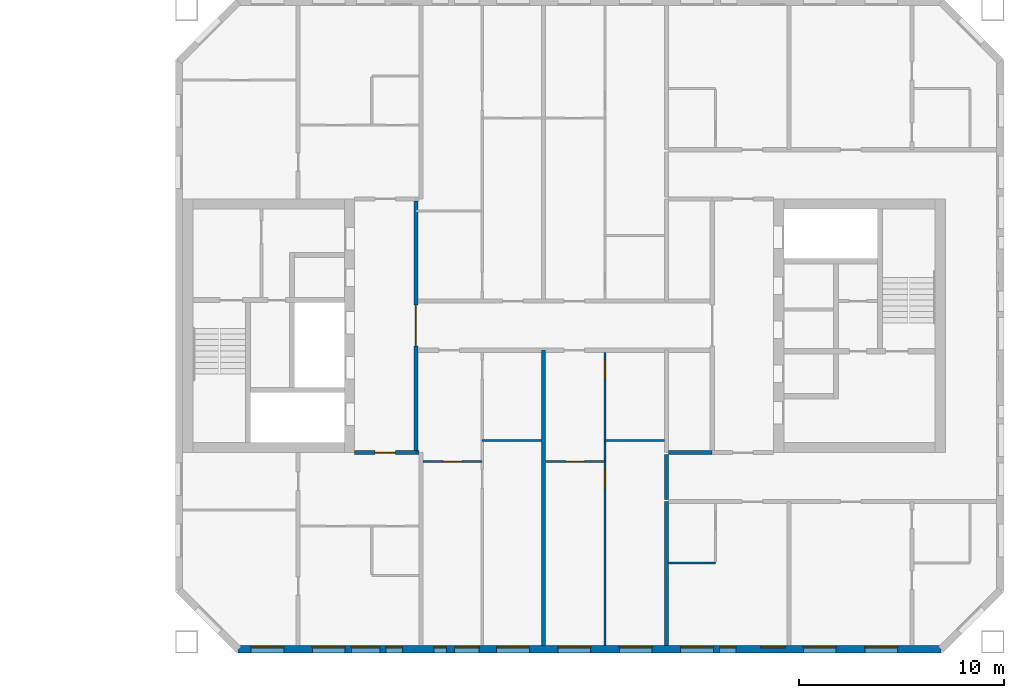
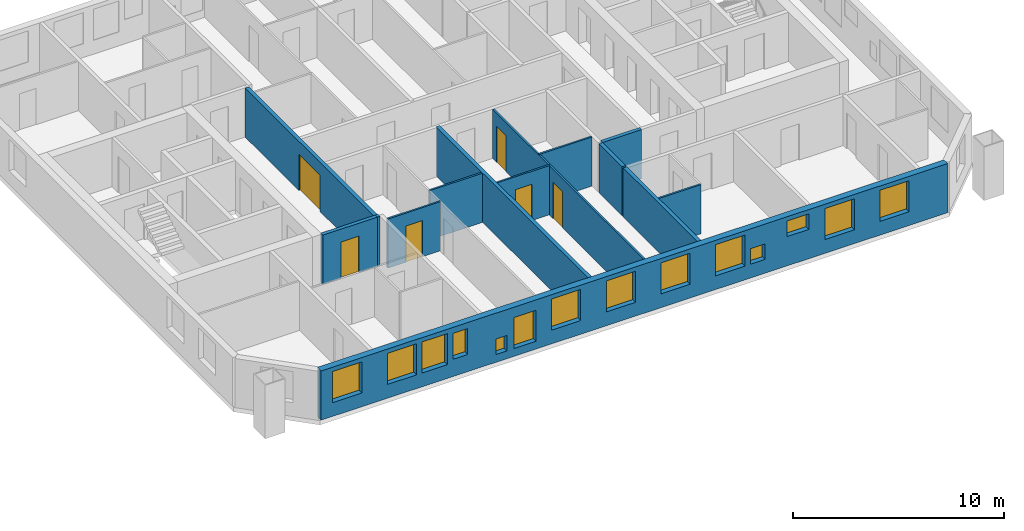
# One storey, part 10 of 16: 14 walls, 14 windows, 6 doors, 20 openings.
"""IFC4 building model written with IfcOpenShell, lengths in metres."""

from ifc_helpers import new_model, si_unit, direction, frame, frame_2d, origin, place, context, subcontext, project, spatial, rectangle, extrude, material, layer, layer_set, type_object, element, fill, save


model = new_model("IFC4")

# Units and contexts
model_context = context("Model", 3, precision=1e-05, world=origin(), true_north=direction((0.0, 1.0)))
body_context = subcontext(model_context, "Body", "Model", "MODEL_VIEW")
ifc_project = project(units=[si_unit("LENGTHUNIT", "METRE"), si_unit("AREAUNIT", "SQUARE_METRE"), si_unit("VOLUMEUNIT", "CUBIC_METRE"), si_unit("PLANEANGLEUNIT", "RADIAN"), si_unit("MASSUNIT", "GRAM", prefix="KILO")], contexts=[model_context])

# Site, building, storey
site_placement = place(None, origin())
site = spatial("IfcSite", under=ifc_project, at=site_placement, CompositionType="ELEMENT")
building_placement = place(site_placement, origin())
building = spatial("IfcBuilding", under=site, at=building_placement, Name="Tuart Gate Housing", CompositionType="ELEMENT")
storey_placement = place(building_placement, frame((0.0, 0.0, 157.800048828125)))
storey = spatial("IfcBuildingStorey", under=building, at=storey_placement, Name="L44", CompositionType="ELEMENT", Elevation=157.800048828125)

# Wall, openings, windows
ifc_material_1 = material(Name="Brick", Category="masonry")
ifc_layer_1 = layer(ifc_material_1, 0.360107421875)
ifc_layer_set_1 = layer_set([ifc_layer_1], Name="Brick pier and spandrel wall 360")
wall_type_1 = type_object("IfcWallType", Name="Brick pier and spandrel wall 360", PredefinedType="STANDARD", material=ifc_layer_set_1)
wall_1_placement = place(storey_placement, frame((134.07470703125, 54.179931640625, 0.0), z_axis=(0.0, 0.0, 1.0), x_axis=(1.0, 0.0, 0.0)))
wall_1 = element("IfcWall", 1, at=wall_1_placement, inside=storey, type_object=wall_type_1, Name="External wall B-S L44", PredefinedType="STANDARD", context=body_context, shape_type="SweptSolid", body=[
    extrude(rectangle(XDim=34.350830078125, YDim=0.360107421875, at=frame_2d((17.17529296875, 0.0))), origin(), (0.0, 0.0, 1.0), 2.849853515625),
])
opening_1_placement = place(wall_1_placement, frame((0.62548828125, 0.0, 0.800048828125)))
opening_1 = element("IfcOpeningElement", 2, at=opening_1_placement, cuts=wall_1, Name="Opening W1", PredefinedType="OPENING", context=body_context, shape_type="SweptSolid", body=[
    extrude(rectangle(XDim=1.60009765625, YDim=1.800048828125, at=frame_2d((0.800048828125, 0.89990234375))), frame((0.0, 0.18994140625, 0.0), z_axis=(0.0, -1.0, 0.0), x_axis=(1.0, 0.0, 0.0)), (0.0, 0.0, 1.0), 0.380126953125),
])
opening_2_placement = place(wall_1_placement, frame((3.62548828125, 0.0, 0.800048828125)))
opening_2 = element("IfcOpeningElement", 3, at=opening_2_placement, cuts=wall_1, Name="Opening W1", PredefinedType="OPENING", context=body_context, shape_type="SweptSolid", body=[
    extrude(rectangle(XDim=1.60009765625, YDim=1.800048828125, at=frame_2d((0.800048828125, 0.89990234375))), frame((0.0, 0.18994140625, 0.0), z_axis=(0.0, -1.0, 0.0), x_axis=(1.0, 0.0, 0.0)), (0.0, 0.0, 1.0), 0.380126953125),
])
opening_3_placement = place(wall_1_placement, frame((5.525390625, 0.0, 0.800048828125)))
opening_3 = element("IfcOpeningElement", 4, at=opening_3_placement, cuts=wall_1, Name="Opening W1A", PredefinedType="OPENING", context=body_context, shape_type="SweptSolid", body=[
    extrude(rectangle(XDim=1.39990234375, YDim=1.800048828125, at=frame_2d((0.699951171875, 0.89990234375))), frame((0.0, 0.18994140625, 0.0), z_axis=(0.0, -1.0, 0.0), x_axis=(1.0, 0.0, 0.0)), (0.0, 0.0, 1.0), 0.380126953125),
])
opening_4_placement = place(wall_1_placement, frame((9.575439453125, 0.0, 0.449951171875)))
opening_4 = element("IfcOpeningElement", 5, at=opening_4_placement, cuts=wall_1, Name="Opening W1W", PredefinedType="OPENING", context=body_context, shape_type="SweptSolid", body=[
    extrude(rectangle(XDim=0.60009765625, YDim=0.89990234375, at=frame_2d((0.300048828125, 0.449951171875))), frame((0.0, 0.18994140625, 0.0), z_axis=(0.0, -1.0, 0.0), x_axis=(1.0, 0.0, 0.0)), (0.0, 0.0, 1.0), 0.380126953125),
])
opening_5_placement = place(wall_1_placement, frame((12.62548828125, 0.0, 0.800048828125)))
opening_5 = element("IfcOpeningElement", 6, at=opening_5_placement, cuts=wall_1, Name="Opening W1", PredefinedType="OPENING", context=body_context, shape_type="SweptSolid", body=[
    extrude(rectangle(XDim=1.60009765625, YDim=1.800048828125, at=frame_2d((0.800048828125, 0.89990234375))), frame((0.0, 0.18994140625, 0.0), z_axis=(0.0, -1.0, 0.0), x_axis=(1.0, 0.0, 0.0)), (0.0, 0.0, 1.0), 0.380126953125),
])
opening_6_placement = place(wall_1_placement, frame((15.62548828125, 0.0, 0.800048828125)))
opening_6 = element("IfcOpeningElement", 7, at=opening_6_placement, cuts=wall_1, Name="Opening W1", PredefinedType="OPENING", context=body_context, shape_type="SweptSolid", body=[
    extrude(rectangle(XDim=1.60009765625, YDim=1.800048828125, at=frame_2d((0.800048828125, 0.89990234375))), frame((0.0, 0.18994140625, 0.0), z_axis=(0.0, -1.0, 0.0), x_axis=(1.0, 0.0, 0.0)), (0.0, 0.0, 1.0), 0.380126953125),
])
opening_7_placement = place(wall_1_placement, frame((18.62548828125, 0.0, 0.800048828125)))
opening_7 = element("IfcOpeningElement", 8, at=opening_7_placement, cuts=wall_1, Name="Opening W1", PredefinedType="OPENING", context=body_context, shape_type="SweptSolid", body=[
    extrude(rectangle(XDim=1.60009765625, YDim=1.800048828125, at=frame_2d((0.800048828125, 0.89990234375))), frame((0.0, 0.18994140625, 0.0), z_axis=(0.0, -1.0, 0.0), x_axis=(1.0, 0.0, 0.0)), (0.0, 0.0, 1.0), 0.380126953125),
])
opening_8_placement = place(wall_1_placement, frame((21.62548828125, 0.0, 0.800048828125)))
opening_8 = element("IfcOpeningElement", 9, at=opening_8_placement, cuts=wall_1, Name="Opening W1", PredefinedType="OPENING", context=body_context, shape_type="SweptSolid", body=[
    extrude(rectangle(XDim=1.60009765625, YDim=1.800048828125, at=frame_2d((0.800048828125, 0.89990234375))), frame((0.0, 0.18994140625, 0.0), z_axis=(0.0, -1.0, 0.0), x_axis=(1.0, 0.0, 0.0)), (0.0, 0.0, 1.0), 0.380126953125),
])
opening_9_placement = place(wall_1_placement, frame((23.525390625, 0.0, 0.800048828125)))
opening_9 = element("IfcOpeningElement", 10, at=opening_9_placement, cuts=wall_1, Name="Opening W1V", PredefinedType="OPENING", context=body_context, shape_type="SweptSolid", body=[
    extrude(rectangle(XDim=0.800048828125, YDim=0.89990234375, at=frame_2d((0.39990234375, 0.449951171875))), frame((0.0, 0.18994140625, 0.0), z_axis=(0.0, -1.0, 0.0), x_axis=(1.0, 0.0, 0.0)), (0.0, 0.0, 1.0), 0.380126953125),
])
opening_10_placement = place(wall_1_placement, frame((27.62548828125, 0.0, 0.800048828125)))
opening_10 = element("IfcOpeningElement", 11, at=opening_10_placement, cuts=wall_1, Name="Opening W1", PredefinedType="OPENING", context=body_context, shape_type="SweptSolid", body=[
    extrude(rectangle(XDim=1.60009765625, YDim=1.800048828125, at=frame_2d((0.800048828125, 0.89990234375))), frame((0.0, 0.18994140625, 0.0), z_axis=(0.0, -1.0, 0.0), x_axis=(1.0, 0.0, 0.0)), (0.0, 0.0, 1.0), 0.380126953125),
])
opening_11_placement = place(wall_1_placement, frame((30.62548828125, 0.0, 0.800048828125)))
opening_11 = element("IfcOpeningElement", 12, at=opening_11_placement, cuts=wall_1, Name="Opening W1", PredefinedType="OPENING", context=body_context, shape_type="SweptSolid", body=[
    extrude(rectangle(XDim=1.60009765625, YDim=1.800048828125, at=frame_2d((0.800048828125, 0.89990234375))), frame((0.0, 0.18994140625, 0.0), z_axis=(0.0, -1.0, 0.0), x_axis=(1.0, 0.0, 0.0)), (0.0, 0.0, 1.0), 0.380126953125),
])
opening_12_placement = place(wall_1_placement, frame((7.225341796875, 0.0, 1.0)))
opening_12 = element("IfcOpeningElement", 13, at=opening_12_placement, cuts=wall_1, Name="Opening W1J", PredefinedType="OPENING", context=body_context, shape_type="SweptSolid", body=[
    extrude(rectangle(XDim=0.800048828125, YDim=1.5, at=frame_2d((0.39990234375, 0.75))), frame((0.0, 0.18994140625, 0.0), z_axis=(0.0, -1.0, 0.0), x_axis=(1.0, 0.0, 0.0)), (0.0, 0.0, 1.0), 0.380126953125),
])
opening_13_placement = place(wall_1_placement, frame((10.575439453125, 0.0, 0.449951171875)))
opening_13 = element("IfcOpeningElement", 14, at=opening_13_placement, cuts=wall_1, Name="Opening W1B", PredefinedType="OPENING", context=body_context, shape_type="SweptSolid", body=[
    extrude(rectangle(XDim=1.199951171875, YDim=1.800048828125, at=frame_2d((0.60009765625, 0.89990234375))), frame((0.0, 0.18994140625, 0.0), z_axis=(0.0, -1.0, 0.0), x_axis=(1.0, 0.0, 0.0)), (0.0, 0.0, 1.0), 0.380126953125),
])
opening_14_placement = place(wall_1_placement, frame((25.525390625, 0.0, 1.699951171875)))
opening_14 = element("IfcOpeningElement", 15, at=opening_14_placement, cuts=wall_1, Name="Opening W1T", PredefinedType="OPENING", context=body_context, shape_type="SweptSolid", body=[
    extrude(rectangle(XDim=1.199951171875, YDim=0.89990234375, at=frame_2d((0.60009765625, 0.449951171875))), frame((0.0, 0.18994140625, 0.0), z_axis=(0.0, -1.0, 0.0), x_axis=(1.0, 0.0, 0.0)), (0.0, 0.0, 1.0), 0.380126953125),
])
ifc_material_2 = material(Name="Aluminium frame with clear glass", Category="aluminium")
window_type_1 = type_object("IfcWindowType", Name="Punched window 1200 x 1800", PartitioningType="SINGLE_PANEL", PredefinedType="WINDOW", material=ifc_material_2)
window_1_placement = place(opening_13_placement, origin())
window_1 = element("IfcWindow", 16, at=window_1_placement, inside=storey, type_object=window_type_1, Name="Window W1B", OverallHeight=1.800048828125, OverallWidth=1.199951171875, PartitioningType="SINGLE_PANEL", PredefinedType="WINDOW", context=body_context, shape_type="SweptSolid", body=[
    extrude(rectangle(XDim=1.199951171875, YDim=1.800048828125, at=frame_2d((0.60009765625, 0.89990234375))), frame((0.0, 0.150146484375, 0.0), z_axis=(0.0, -1.0, 0.0), x_axis=(1.0, 0.0, 0.0)), (0.0, 0.0, 1.0), 0.06005859375),
])
fill(opening_13, window_1)
ifc_material_3 = material(Name="Aluminium frame with clear glass", Category="aluminium")
window_type_2 = type_object("IfcWindowType", Name="Punched window 1200 x 900", PartitioningType="SINGLE_PANEL", PredefinedType="WINDOW", material=ifc_material_3)
window_2_placement = place(opening_14_placement, origin())
window_2 = element("IfcWindow", 17, at=window_2_placement, inside=storey, type_object=window_type_2, Name="Window W1T", OverallHeight=0.89990234375, OverallWidth=1.199951171875, PartitioningType="SINGLE_PANEL", PredefinedType="WINDOW", context=body_context, shape_type="SweptSolid", body=[
    extrude(rectangle(XDim=1.199951171875, YDim=0.89990234375, at=frame_2d((0.60009765625, 0.449951171875))), frame((0.0, 0.150146484375, 0.0), z_axis=(0.0, -1.0, 0.0), x_axis=(1.0, 0.0, 0.0)), (0.0, 0.0, 1.0), 0.06005859375),
])
fill(opening_14, window_2)
ifc_material_4 = material(Name="Aluminium frame with clear glass", Category="aluminium")
window_type_3 = type_object("IfcWindowType", Name="Punched window 1400 x 1800", PartitioningType="SINGLE_PANEL", PredefinedType="WINDOW", material=ifc_material_4)
window_3_placement = place(opening_3_placement, origin())
window_3 = element("IfcWindow", 18, at=window_3_placement, inside=storey, type_object=window_type_3, Name="Window W1A", OverallHeight=1.800048828125, OverallWidth=1.39990234375, PartitioningType="SINGLE_PANEL", PredefinedType="WINDOW", context=body_context, shape_type="SweptSolid", body=[
    extrude(rectangle(XDim=1.39990234375, YDim=1.800048828125, at=frame_2d((0.699951171875, 0.89990234375))), frame((0.0, 0.150146484375, 0.0), z_axis=(0.0, -1.0, 0.0), x_axis=(1.0, 0.0, 0.0)), (0.0, 0.0, 1.0), 0.06005859375),
])
fill(opening_3, window_3)
ifc_material_5 = material(Name="Aluminium frame with clear glass", Category="aluminium")
window_type_4 = type_object("IfcWindowType", Name="Punched window 1600 x 1800", PartitioningType="SINGLE_PANEL", PredefinedType="WINDOW", material=ifc_material_5)
window_4_placement = place(opening_1_placement, origin())
window_4 = element("IfcWindow", 19, at=window_4_placement, inside=storey, type_object=window_type_4, Name="Window W1", OverallHeight=1.800048828125, OverallWidth=1.60009765625, PartitioningType="SINGLE_PANEL", PredefinedType="WINDOW", context=body_context, shape_type="SweptSolid", body=[
    extrude(rectangle(XDim=1.60009765625, YDim=1.800048828125, at=frame_2d((0.800048828125, 0.89990234375))), frame((0.0, 0.150146484375, 0.0), z_axis=(0.0, -1.0, 0.0), x_axis=(1.0, 0.0, 0.0)), (0.0, 0.0, 1.0), 0.06005859375),
])
fill(opening_1, window_4)
window_5_placement = place(opening_2_placement, origin())
window_5 = element("IfcWindow", 20, at=window_5_placement, inside=storey, type_object=window_type_4, Name="Window W1", OverallHeight=1.800048828125, OverallWidth=1.60009765625, PartitioningType="SINGLE_PANEL", PredefinedType="WINDOW", context=body_context, shape_type="SweptSolid", body=[
    extrude(rectangle(XDim=1.60009765625, YDim=1.800048828125, at=frame_2d((0.800048828125, 0.89990234375))), frame((0.0, 0.150146484375, 0.0), z_axis=(0.0, -1.0, 0.0), x_axis=(1.0, 0.0, 0.0)), (0.0, 0.0, 1.0), 0.06005859375),
])
fill(opening_2, window_5)
window_6_placement = place(opening_5_placement, origin())
window_6 = element("IfcWindow", 21, at=window_6_placement, inside=storey, type_object=window_type_4, Name="Window W1", OverallHeight=1.800048828125, OverallWidth=1.60009765625, PartitioningType="SINGLE_PANEL", PredefinedType="WINDOW", context=body_context, shape_type="SweptSolid", body=[
    extrude(rectangle(XDim=1.60009765625, YDim=1.800048828125, at=frame_2d((0.800048828125, 0.89990234375))), frame((0.0, 0.150146484375, 0.0), z_axis=(0.0, -1.0, 0.0), x_axis=(1.0, 0.0, 0.0)), (0.0, 0.0, 1.0), 0.06005859375),
])
fill(opening_5, window_6)
window_7_placement = place(opening_6_placement, origin())
window_7 = element("IfcWindow", 22, at=window_7_placement, inside=storey, type_object=window_type_4, Name="Window W1", OverallHeight=1.800048828125, OverallWidth=1.60009765625, PartitioningType="SINGLE_PANEL", PredefinedType="WINDOW", context=body_context, shape_type="SweptSolid", body=[
    extrude(rectangle(XDim=1.60009765625, YDim=1.800048828125, at=frame_2d((0.800048828125, 0.89990234375))), frame((0.0, 0.150146484375, 0.0), z_axis=(0.0, -1.0, 0.0), x_axis=(1.0, 0.0, 0.0)), (0.0, 0.0, 1.0), 0.06005859375),
])
fill(opening_6, window_7)
window_8_placement = place(opening_7_placement, origin())
window_8 = element("IfcWindow", 23, at=window_8_placement, inside=storey, type_object=window_type_4, Name="Window W1", OverallHeight=1.800048828125, OverallWidth=1.60009765625, PartitioningType="SINGLE_PANEL", PredefinedType="WINDOW", context=body_context, shape_type="SweptSolid", body=[
    extrude(rectangle(XDim=1.60009765625, YDim=1.800048828125, at=frame_2d((0.800048828125, 0.89990234375))), frame((0.0, 0.150146484375, 0.0), z_axis=(0.0, -1.0, 0.0), x_axis=(1.0, 0.0, 0.0)), (0.0, 0.0, 1.0), 0.06005859375),
])
fill(opening_7, window_8)
window_9_placement = place(opening_8_placement, origin())
window_9 = element("IfcWindow", 24, at=window_9_placement, inside=storey, type_object=window_type_4, Name="Window W1", OverallHeight=1.800048828125, OverallWidth=1.60009765625, PartitioningType="SINGLE_PANEL", PredefinedType="WINDOW", context=body_context, shape_type="SweptSolid", body=[
    extrude(rectangle(XDim=1.60009765625, YDim=1.800048828125, at=frame_2d((0.800048828125, 0.89990234375))), frame((0.0, 0.150146484375, 0.0), z_axis=(0.0, -1.0, 0.0), x_axis=(1.0, 0.0, 0.0)), (0.0, 0.0, 1.0), 0.06005859375),
])
fill(opening_8, window_9)
window_10_placement = place(opening_10_placement, origin())
window_10 = element("IfcWindow", 25, at=window_10_placement, inside=storey, type_object=window_type_4, Name="Window W1", OverallHeight=1.800048828125, OverallWidth=1.60009765625, PartitioningType="SINGLE_PANEL", PredefinedType="WINDOW", context=body_context, shape_type="SweptSolid", body=[
    extrude(rectangle(XDim=1.60009765625, YDim=1.800048828125, at=frame_2d((0.800048828125, 0.89990234375))), frame((0.0, 0.150146484375, 0.0), z_axis=(0.0, -1.0, 0.0), x_axis=(1.0, 0.0, 0.0)), (0.0, 0.0, 1.0), 0.06005859375),
])
fill(opening_10, window_10)
window_11_placement = place(opening_11_placement, origin())
window_11 = element("IfcWindow", 26, at=window_11_placement, inside=storey, type_object=window_type_4, Name="Window W1", OverallHeight=1.800048828125, OverallWidth=1.60009765625, PartitioningType="SINGLE_PANEL", PredefinedType="WINDOW", context=body_context, shape_type="SweptSolid", body=[
    extrude(rectangle(XDim=1.60009765625, YDim=1.800048828125, at=frame_2d((0.800048828125, 0.89990234375))), frame((0.0, 0.150146484375, 0.0), z_axis=(0.0, -1.0, 0.0), x_axis=(1.0, 0.0, 0.0)), (0.0, 0.0, 1.0), 0.06005859375),
])
fill(opening_11, window_11)
ifc_material_6 = material(Name="Aluminium frame with clear glass", Category="aluminium")
window_type_5 = type_object("IfcWindowType", Name="Punched window 600 x 900", PartitioningType="SINGLE_PANEL", PredefinedType="WINDOW", material=ifc_material_6)
window_12_placement = place(opening_4_placement, origin())
window_12 = element("IfcWindow", 27, at=window_12_placement, inside=storey, type_object=window_type_5, Name="Window W1W", OverallHeight=0.89990234375, OverallWidth=0.60009765625, PartitioningType="SINGLE_PANEL", PredefinedType="WINDOW", context=body_context, shape_type="SweptSolid", body=[
    extrude(rectangle(XDim=0.60009765625, YDim=0.89990234375, at=frame_2d((0.300048828125, 0.449951171875))), frame((0.0, 0.150146484375, 0.0), z_axis=(0.0, -1.0, 0.0), x_axis=(1.0, 0.0, 0.0)), (0.0, 0.0, 1.0), 0.06005859375),
])
fill(opening_4, window_12)
ifc_material_7 = material(Name="Aluminium frame with clear glass", Category="aluminium")
window_type_6 = type_object("IfcWindowType", Name="Punched window 800 x 1500", PartitioningType="SINGLE_PANEL", PredefinedType="WINDOW", material=ifc_material_7)
window_13_placement = place(opening_12_placement, origin())
window_13 = element("IfcWindow", 28, at=window_13_placement, inside=storey, type_object=window_type_6, Name="Window W1J", OverallHeight=1.5, OverallWidth=0.800048828125, PartitioningType="SINGLE_PANEL", PredefinedType="WINDOW", context=body_context, shape_type="SweptSolid", body=[
    extrude(rectangle(XDim=0.800048828125, YDim=1.5, at=frame_2d((0.39990234375, 0.75))), frame((0.0, 0.150146484375, 0.0), z_axis=(0.0, -1.0, 0.0), x_axis=(1.0, 0.0, 0.0)), (0.0, 0.0, 1.0), 0.06005859375),
])
fill(opening_12, window_13)
ifc_material_8 = material(Name="Aluminium frame with clear glass", Category="aluminium")
window_type_7 = type_object("IfcWindowType", Name="Punched window 800 x 900", PartitioningType="SINGLE_PANEL", PredefinedType="WINDOW", material=ifc_material_8)
window_14_placement = place(opening_9_placement, origin())
window_14 = element("IfcWindow", 29, at=window_14_placement, inside=storey, type_object=window_type_7, Name="Window W1V", OverallHeight=0.89990234375, OverallWidth=0.800048828125, PartitioningType="SINGLE_PANEL", PredefinedType="WINDOW", context=body_context, shape_type="SweptSolid", body=[
    extrude(rectangle(XDim=0.800048828125, YDim=0.89990234375, at=frame_2d((0.39990234375, 0.449951171875))), frame((0.0, 0.150146484375, 0.0), z_axis=(0.0, -1.0, 0.0), x_axis=(1.0, 0.0, 0.0)), (0.0, 0.0, 1.0), 0.06005859375),
])
fill(opening_9, window_14)

# Walls
ifc_material_9 = material(Name="Concrete masonry 15 MPa", Category="masonry")
ifc_layer_2 = layer(ifc_material_9, 0.199951171875)
ifc_layer_set_2 = layer_set([ifc_layer_2], Name="Corridor wall masonry 200")
wall_type_2 = type_object("IfcWallType", Name="Corridor wall masonry 200", PredefinedType="PARTITIONING", material=ifc_layer_set_2)
wall_2_placement = place(storey_placement, frame((155.10009765625, 63.800048828125, 0.0), z_axis=(0.0, 0.0, 1.0), x_axis=(1.0, 0.0, 0.0)))
element("IfcWall", 30, at=wall_2_placement, inside=storey, type_object=wall_type_2, Name="Corridor wall masonry 200", PredefinedType="PARTITIONING", context=body_context, shape_type="SweptSolid", body=[
    extrude(rectangle(XDim=2.139892578125, YDim=0.199951171875, at=frame_2d((1.06982421875, 0.0))), origin(), (0.0, 0.0, 1.0), 2.849853515625),
])
wall_3_placement = place(storey_placement, frame((155.0, 61.5, 0.0), z_axis=(0.0, 0.0, 1.0), x_axis=(0.0, 1.0, 0.0)))
element("IfcWall", 31, at=wall_3_placement, inside=storey, type_object=wall_type_2, Name="Corridor wall masonry 200", PredefinedType="PARTITIONING", context=body_context, shape_type="SweptSolid", body=[
    extrude(rectangle(XDim=2.199951171875, YDim=0.199951171875, at=frame_2d((1.10009765625, 0.0))), origin(), (0.0, 0.0, 1.0), 2.849853515625),
])

# Wall, opening, door
ifc_material_10 = material(Name="Concrete masonry 15 MPa", Category="masonry")
ifc_layer_3 = layer(ifc_material_10, 0.199951171875)
ifc_layer_set_3 = layer_set([ifc_layer_3], Name="Enclosure wall masonry 200")
wall_type_3 = type_object("IfcWallType", Name="Enclosure wall masonry 200", PredefinedType="PARTITIONING", material=ifc_layer_set_3)
wall_4_placement = place(storey_placement, frame((139.760009765625, 63.800048828125, 0.0), z_axis=(0.0, 0.0, 1.0), x_axis=(1.0, 0.0, 0.0)))
wall_4 = element("IfcWall", 32, at=wall_4_placement, inside=storey, type_object=wall_type_3, Name="Enclosure wall masonry 200", PredefinedType="PARTITIONING", context=body_context, shape_type="SweptSolid", body=[
    extrude(rectangle(XDim=3.0, YDim=0.199951171875, at=frame_2d((1.5, 0.0))), origin(), (0.0, 0.0, 1.0), 2.849853515625),
])
opening_15_placement = place(wall_4_placement, frame((1.0, 0.0, 0.0)))
opening_15 = element("IfcOpeningElement", 33, at=opening_15_placement, cuts=wall_4, Name="Opening D1716", PredefinedType="OPENING", context=body_context, shape_type="SweptSolid", body=[
    extrude(rectangle(XDim=1.0, YDim=2.10009765625, at=frame_2d((0.5, 1.050048828125))), frame((0.0, 0.10986328125, 0.0), z_axis=(0.0, -1.0, 0.0), x_axis=(1.0, 0.0, 0.0)), (0.0, 0.0, 1.0), 0.219970703125),
])
ifc_material_11 = material(Name="Timber door leaf in steel frame", Category="steel")
door_type_1 = type_object("IfcDoorType", Name="Flat entrance door 1000", OperationType="SINGLE_SWING_LEFT", PredefinedType="DOOR", material=ifc_material_11)
door_1_placement = place(opening_15_placement, frame((1.0, 0.0, 0.0), z_axis=(0.0, 0.0, 1.0), x_axis=(-1.0, 0.0, 0.0)))
door_1 = element("IfcDoor", 34, at=door_1_placement, inside=storey, type_object=door_type_1, Name="Flat entrance door", OperationType="SINGLE_SWING_LEFT", OverallHeight=2.10009765625, OverallWidth=1.0, PredefinedType="DOOR", context=body_context, shape_type="SweptSolid", body=[
    extrude(rectangle(XDim=1.0, YDim=2.10009765625, at=frame_2d((0.5, 1.050048828125))), frame((0.0, 0.025146484375, 0.0), z_axis=(0.0, -1.0, 0.0), x_axis=(1.0, 0.0, 0.0)), (0.0, 0.0, 1.0), 0.050048828125),
])
fill(opening_15, door_1)

ifc_material_12 = material(Name="Plasterboard partition")
ifc_layer_4 = layer(ifc_material_12, 0.199951171875)
ifc_layer_set_4 = layer_set([ifc_layer_4], Name="Lobby wall 200")
wall_type_4 = type_object("IfcWallType", Name="Lobby wall 200", PredefinedType="PARTITIONING", material=ifc_layer_set_4)
wall_5_placement = place(storey_placement, frame((142.760009765625, 63.89990234375, 0.0), z_axis=(0.0, 0.0, 1.0), x_axis=(0.0, 1.0, 0.0)))
wall_5 = element("IfcWall", 35, at=wall_5_placement, inside=storey, type_object=wall_type_4, Name="Lift lobby wall BG", PredefinedType="PARTITIONING", context=body_context, shape_type="SweptSolid", body=[
    extrude(rectangle(XDim=12.2001953125, YDim=0.199951171875, at=frame_2d((6.10009765625, 0.0))), origin(), (0.0, 0.0, 1.0), 2.849853515625),
])
opening_16_placement = place(wall_5_placement, frame((5.10009765625, 0.0, 0.0)))
opening_16 = element("IfcOpeningElement", 36, at=opening_16_placement, cuts=wall_5, Name="Opening D1706", PredefinedType="OPENING", context=body_context, shape_type="SweptSolid", body=[
    extrude(rectangle(XDim=2.0, YDim=2.10009765625, at=frame_2d((1.0, 1.050048828125))), frame((0.0, 0.10986328125, 0.0), z_axis=(0.0, -1.0, 0.0), x_axis=(1.0, 0.0, 0.0)), (0.0, 0.0, 1.0), 0.219970703125),
])
ifc_material_13 = material(Name="Steel fire door", Category="steel")
door_type_2 = type_object("IfcDoorType", Name="Smoke door 2000 x 2100", OperationType="DOUBLE_DOOR_SINGLE_SWING", PredefinedType="DOOR", material=ifc_material_13)
door_2_placement = place(opening_16_placement, origin())
door_2 = element("IfcDoor", 37, at=door_2_placement, inside=storey, type_object=door_type_2, Name="Lift lobby smoke door BG", OperationType="DOUBLE_DOOR_SINGLE_SWING", OverallHeight=2.10009765625, OverallWidth=2.0, PredefinedType="DOOR", context=body_context, shape_type="SweptSolid", body=[
    extrude(rectangle(XDim=2.0, YDim=2.10009765625, at=frame_2d((1.0, 1.050048828125))), frame((0.0, 0.02490234375, 0.0), z_axis=(0.0, -1.0, 0.0), x_axis=(1.0, 0.0, 0.0)), (0.0, 0.0, 1.0), 0.050048828125),
])
fill(opening_16, door_2)

# Wall
ifc_material_14 = material(Name="Gypsum board on steel studs", Category="steel")
ifc_layer_5 = layer(ifc_material_14, 0.10009765625)
ifc_layer_set_5 = layer_set([ifc_layer_5], Name="Partition 100")
wall_type_5 = type_object("IfcWallType", Name="Partition 100", PredefinedType="PARTITIONING", material=ifc_layer_set_5)
wall_6_placement = place(storey_placement, frame((155.10009765625, 58.39990234375, 0.0), z_axis=(0.0, 0.0, 1.0), x_axis=(1.0, 0.0, 0.0)))
element("IfcWall", 38, at=wall_6_placement, inside=storey, type_object=wall_type_5, Name="Partition 100", PredefinedType="PARTITIONING", context=body_context, shape_type="SweptSolid", body=[
    extrude(rectangle(XDim=2.2998046875, YDim=0.10009765625, at=frame_2d((1.14990234375, 0.0))), origin(), (0.0, 0.0, 1.0), 2.849853515625),
])

# Wall, opening, door
wall_7_placement = place(storey_placement, frame((143.10009765625, 63.360107421875, 0.0), z_axis=(0.0, 0.0, 1.0), x_axis=(1.0, 0.0, 0.0)))
wall_7 = element("IfcWall", 39, at=wall_7_placement, inside=storey, type_object=wall_type_5, Name="Partition 100", PredefinedType="PARTITIONING", context=body_context, shape_type="SweptSolid", body=[
    extrude(rectangle(XDim=2.89990234375, YDim=0.10009765625, at=frame_2d((1.449951171875, 0.0))), origin(), (0.0, 0.0, 1.0), 2.849853515625),
])
opening_17_placement = place(wall_7_placement, frame((1.0, 0.0, 0.0)))
opening_17 = element("IfcOpeningElement", 40, at=opening_17_placement, cuts=wall_7, Name="Opening D1718", PredefinedType="OPENING", context=body_context, shape_type="SweptSolid", body=[
    extrude(rectangle(XDim=0.89990234375, YDim=2.10009765625, at=frame_2d((0.449951171875, 1.050048828125))), frame((0.0, 0.06005859375, 0.0), z_axis=(0.0, -1.0, 0.0), x_axis=(1.0, 0.0, 0.0)), (0.0, 0.0, 1.0), 0.1201171875),
])
ifc_material_15 = material(Name="Timber door leaf in steel frame", Category="steel")
door_type_3 = type_object("IfcDoorType", Name="Internal door 900 RH", OperationType="SINGLE_SWING_RIGHT", PredefinedType="DOOR", material=ifc_material_15)
door_3_placement = place(opening_17_placement, origin())
door_3 = element("IfcDoor", 41, at=door_3_placement, inside=storey, type_object=door_type_3, Name="Internal door", OperationType="SINGLE_SWING_RIGHT", OverallHeight=2.10009765625, OverallWidth=0.89990234375, PredefinedType="DOOR", context=body_context, shape_type="SweptSolid", body=[
    extrude(rectangle(XDim=0.89990234375, YDim=2.10009765625, at=frame_2d((0.449951171875, 1.050048828125))), frame((0.0, 0.02490234375, 0.0), z_axis=(0.0, -1.0, 0.0), x_axis=(1.0, 0.0, 0.0)), (0.0, 0.0, 1.0), 0.050048828125),
])
fill(opening_17, door_3)

wall_8_placement = place(storey_placement, frame((149.10009765625, 63.360107421875, 0.0), z_axis=(0.0, 0.0, 1.0), x_axis=(1.0, 0.0, 0.0)))
wall_8 = element("IfcWall", 42, at=wall_8_placement, inside=storey, type_object=wall_type_5, Name="Partition 100", PredefinedType="PARTITIONING", context=body_context, shape_type="SweptSolid", body=[
    extrude(rectangle(XDim=2.89990234375, YDim=0.10009765625, at=frame_2d((1.449951171875, 0.0))), origin(), (0.0, 0.0, 1.0), 2.849853515625),
])
opening_18_placement = place(wall_8_placement, frame((1.0, 0.0, 0.0)))
opening_18 = element("IfcOpeningElement", 43, at=opening_18_placement, cuts=wall_8, Name="Opening D1719", PredefinedType="OPENING", context=body_context, shape_type="SweptSolid", body=[
    extrude(rectangle(XDim=0.89990234375, YDim=2.10009765625, at=frame_2d((0.449951171875, 1.050048828125))), frame((0.0, 0.06005859375, 0.0), z_axis=(0.0, -1.0, 0.0), x_axis=(1.0, 0.0, 0.0)), (0.0, 0.0, 1.0), 0.1201171875),
])
door_4_placement = place(opening_18_placement, origin())
door_4 = element("IfcDoor", 44, at=door_4_placement, inside=storey, type_object=door_type_3, Name="Internal door", OperationType="SINGLE_SWING_RIGHT", OverallHeight=2.10009765625, OverallWidth=0.89990234375, PredefinedType="DOOR", context=body_context, shape_type="SweptSolid", body=[
    extrude(rectangle(XDim=0.89990234375, YDim=2.10009765625, at=frame_2d((0.449951171875, 1.050048828125))), frame((0.0, 0.02490234375, 0.0), z_axis=(0.0, -1.0, 0.0), x_axis=(1.0, 0.0, 0.0)), (0.0, 0.0, 1.0), 0.050048828125),
])
fill(opening_18, door_4)

# Walls
for number, where, z_axis, x_axis, name in (
    (45, (146.0, 64.39990234375, 0.0), (0.0, 0.0, 1.0), (1.0, 0.0, 0.0), "Partition 100"),
    (46, (152.0, 64.39990234375, 0.0), (0.0, 0.0, 1.0), (1.0, 0.0, 0.0), "Partition 100"),
):
    element("IfcWall", number, at=place(storey_placement, frame(where, z_axis=z_axis, x_axis=x_axis)), inside=storey, type_object=wall_type_5, Name=name, PredefinedType="PARTITIONING", context=body_context, shape_type="SweptSolid", body=[
        extrude(rectangle(XDim=2.89990234375, YDim=0.10009765625, at=frame_2d((1.449951171875, 0.0))), origin(), (0.0, 0.0, 1.0), 2.849853515625),
    ])

# Wall, openings, doors
wall_9_placement = place(storey_placement, frame((152.0, 54.360107421875, 0.0), z_axis=(0.0, 0.0, 1.0), x_axis=(0.0, 1.0, 0.0)))
wall_9 = element("IfcWall", 47, at=wall_9_placement, inside=storey, type_object=wall_type_5, Name="Partition 100", PredefinedType="PARTITIONING", context=body_context, shape_type="SweptSolid", body=[
    extrude(rectangle(XDim=14.33984375, YDim=0.10009765625, at=frame_2d((7.169921875, 0.0))), origin(), (0.0, 0.0, 1.0), 2.849853515625),
])
opening_19_placement = place(wall_9_placement, frame((7.699951171875, 0.0, 0.0)))
opening_19 = element("IfcOpeningElement", 48, at=opening_19_placement, cuts=wall_9, Name="Opening D1723", PredefinedType="OPENING", context=body_context, shape_type="SweptSolid", body=[
    extrude(rectangle(XDim=0.89990234375, YDim=2.10009765625, at=frame_2d((0.449951171875, 1.050048828125))), frame((0.0, 0.06005859375, 0.0), z_axis=(0.0, -1.0, 0.0), x_axis=(1.0, 0.0, 0.0)), (0.0, 0.0, 1.0), 0.1201171875),
])
opening_20_placement = place(wall_9_placement, frame((13.0400390625, 0.0, 0.0)))
opening_20 = element("IfcOpeningElement", 49, at=opening_20_placement, cuts=wall_9, Name="Opening D1722", PredefinedType="OPENING", context=body_context, shape_type="SweptSolid", body=[
    extrude(rectangle(XDim=0.89990234375, YDim=2.10009765625, at=frame_2d((0.449951171875, 1.050048828125))), frame((0.0, 0.06005859375, 0.0), z_axis=(0.0, -1.0, 0.0), x_axis=(1.0, 0.0, 0.0)), (0.0, 0.0, 1.0), 0.1201171875),
])
ifc_material_16 = material(Name="Timber door leaf in steel frame", Category="steel")
door_type_4 = type_object("IfcDoorType", Name="Bathroom door 900", OperationType="SINGLE_SWING_LEFT", PredefinedType="DOOR", material=ifc_material_16)
door_5_placement = place(opening_20_placement, frame((0.89990234375, 0.0, 0.0), z_axis=(0.0, 0.0, 1.0), x_axis=(-1.0, 0.0, 0.0)))
door_5 = element("IfcDoor", 50, at=door_5_placement, inside=storey, type_object=door_type_4, Name="Bathroom door", OperationType="SINGLE_SWING_LEFT", OverallHeight=2.10009765625, OverallWidth=0.89990234375, PredefinedType="DOOR", context=body_context, shape_type="SweptSolid", body=[
    extrude(rectangle(XDim=0.89990234375, YDim=2.10009765625, at=frame_2d((0.449951171875, 1.050048828125))), frame((0.0, 0.025146484375, 0.0), z_axis=(0.0, -1.0, 0.0), x_axis=(1.0, 0.0, 0.0)), (0.0, 0.0, 1.0), 0.050048828125),
])
fill(opening_20, door_5)
ifc_material_17 = material(Name="Timber door leaf in steel frame", Category="steel")
door_type_5 = type_object("IfcDoorType", Name="Internal door 900", OperationType="SINGLE_SWING_LEFT", PredefinedType="DOOR", material=ifc_material_17)
door_6_placement = place(opening_19_placement, frame((0.89990234375, 0.0, 0.0), z_axis=(0.0, 0.0, 1.0), x_axis=(-1.0, 0.0, 0.0)))
door_6 = element("IfcDoor", 51, at=door_6_placement, inside=storey, type_object=door_type_5, Name="Internal door", OperationType="SINGLE_SWING_LEFT", OverallHeight=2.10009765625, OverallWidth=0.89990234375, PredefinedType="DOOR", context=body_context, shape_type="SweptSolid", body=[
    extrude(rectangle(XDim=0.89990234375, YDim=2.10009765625, at=frame_2d((0.449951171875, 1.050048828125))), frame((0.0, 0.025146484375, 0.0), z_axis=(0.0, -1.0, 0.0), x_axis=(1.0, 0.0, 0.0)), (0.0, 0.0, 1.0), 0.050048828125),
])
fill(opening_19, door_6)

# Walls
ifc_material_18 = material(Name="Concrete C40", Category="concrete")
ifc_layer_6 = layer(ifc_material_18, 0.199951171875)
ifc_layer_set_6 = layer_set([ifc_layer_6], Name="Party wall concrete C40 200")
wall_type_6 = type_object("IfcWallType", Name="Party wall concrete C40 200", PredefinedType="SOLIDWALL", material=ifc_layer_set_6)
wall_10_placement = place(storey_placement, frame((149.0, 54.360107421875, 0.0), z_axis=(0.0, 0.0, 1.0), x_axis=(0.0, 1.0, 0.0)))
element("IfcWall", 52, at=wall_10_placement, inside=storey, type_object=wall_type_6, Name="Party wall concrete C40 200", PredefinedType="SOLIDWALL", context=body_context, shape_type="SweptSolid", body=[
    extrude(rectangle(XDim=14.43994140625, YDim=0.199951171875, at=frame_2d((7.219970703125, 0.0))), origin(), (0.0, 0.0, 1.0), 2.849853515625),
])
wall_11_placement = place(storey_placement, frame((155.0, 54.360107421875, 0.0), z_axis=(0.0, 0.0, 1.0), x_axis=(0.0, 1.0, 0.0)))
element("IfcWall", 53, at=wall_11_placement, inside=storey, type_object=wall_type_6, Name="Party wall concrete C40 200", PredefinedType="SOLIDWALL", context=body_context, shape_type="SweptSolid", body=[
    extrude(rectangle(XDim=7.039794921875, YDim=0.199951171875, at=frame_2d((3.52001953125, 0.0))), origin(), (0.0, 0.0, 1.0), 2.849853515625),
])
ifc_material_19 = material(Name="Concrete masonry 15 MPa", Category="masonry")
ifc_layer_7 = layer(ifc_material_19, 0.199951171875)
ifc_layer_set_7 = layer_set([ifc_layer_7], Name="Party wall masonry 200")
wall_type_7 = type_object("IfcWallType", Name="Party wall masonry 200", PredefinedType="PARTITIONING", material=ifc_layer_set_7)
wall_12_placement = place(storey_placement, frame((142.760009765625, 63.800048828125, 0.0), z_axis=(0.0, 0.0, 1.0), x_axis=(1.0, 0.0, 0.0)))
element("IfcWall", 54, at=wall_12_placement, inside=storey, type_object=wall_type_7, Name="Party wall masonry 200", PredefinedType="PARTITIONING", context=body_context, shape_type="SweptSolid", body=[
    extrude(rectangle(XDim=0.139892578125, YDim=0.199951171875, at=frame_2d((0.06982421875, 0.0))), origin(), (0.0, 0.0, 1.0), 2.849853515625),
])

save(model, "model.ifc")
